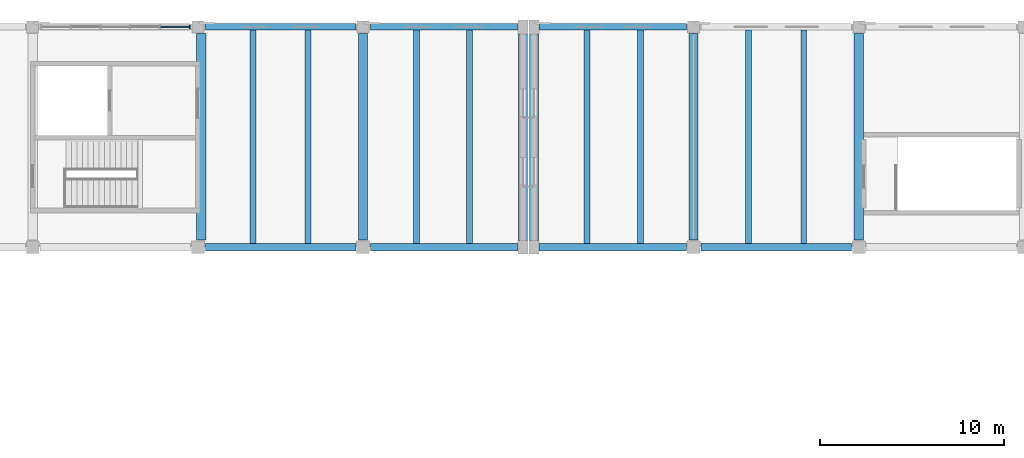
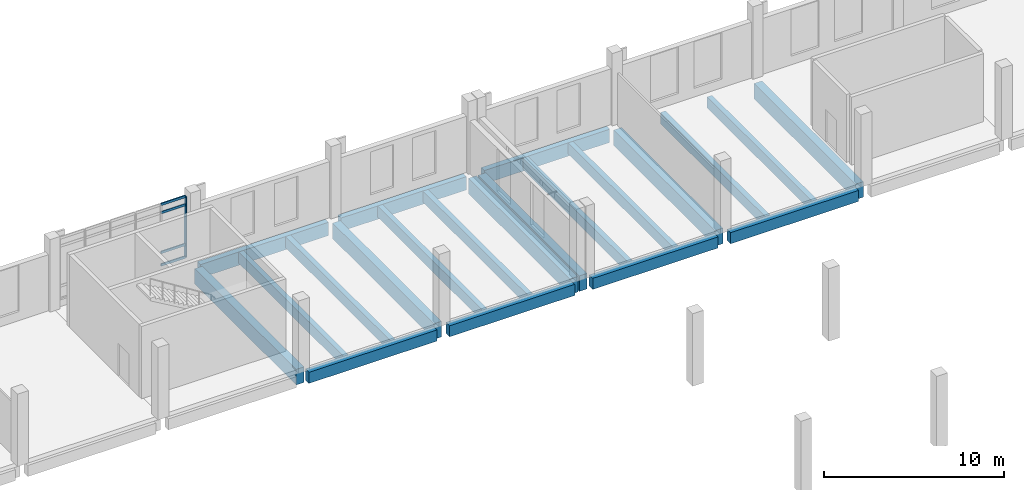
# One storey, part 52 of 110: 21 beams, 5 members, 1 element without a shape of its own.
"""IFC4 building model written with IfcOpenShell, lengths in metres."""

from ifc_helpers import new_model, si_unit, direction, frame, origin, origin_2d, place, context, subcontext, project, spatial, rectangle, extrude, material, layer, layer_set, material_profile, profile_set, type_object, element, aggregate, save


model = new_model("IFC4")

# Units and contexts
model_context = context("Model", 3, precision=1e-05, world=origin(), true_north=direction((0.0, 1.0)))
body_context = subcontext(model_context, "Body", "Model", "MODEL_VIEW")
ifc_project = project(units=[si_unit("LENGTHUNIT", "METRE"), si_unit("AREAUNIT", "SQUARE_METRE"), si_unit("VOLUMEUNIT", "CUBIC_METRE"), si_unit("PLANEANGLEUNIT", "RADIAN"), si_unit("MASSUNIT", "GRAM", prefix="KILO")], contexts=[model_context])

# Site, building, storey
site_placement = place(None, origin())
site = spatial("IfcSite", under=ifc_project, at=site_placement, CompositionType="ELEMENT")
building_placement = place(site_placement, origin())
building = spatial("IfcBuilding", under=site, at=building_placement, Name="Zacnel Wholesale Market", CompositionType="ELEMENT")
storey_placement = place(building_placement, frame((0.0, 0.0, 6.300048828125)))
storey = spatial("IfcBuildingStorey", under=building, at=storey_placement, Name="L02", CompositionType="ELEMENT", Elevation=6.300048828125)

# Beams
ifc_material_1 = material(Name="Precast concrete C45/55", Category="concrete")
ifc_material_profile_1 = material_profile(ifc_material_1, rectangle(XDim=0.320068359375, YDim=0.75, at=origin_2d()), Name="DT RIB 320x750")
ifc_profile_set_1 = profile_set([ifc_material_profile_1], Name="Precast concrete C45/55")
beam_type_1 = type_object("IfcBeamType", Name="BM-DT750", PredefinedType="JOIST", material=ifc_profile_set_1)
for number, where, z_axis, x_axis, name in (
    (1, (129.0, 132.199951171875, -0.655029296875), (0.0, 1.0, 0.0), (-1.0, 0.0, 0.0), "Precast secondary joist L02-0333"),
    (2, (132.0, 132.199951171875, -0.655029296875), (0.0, 1.0, 0.0), (-1.0, 0.0, 0.0), "Precast secondary joist L02-0334"),
    (3, (137.89990234375, 132.199951171875, -0.655029296875), (0.0, 1.0, 0.0), (-1.0, 0.0, 0.0), "Precast secondary joist L02-0335"),
    (4, (140.800048828125, 132.199951171875, -0.655029296875), (0.0, 1.0, 0.0), (-1.0, 0.0, 0.0), "Precast secondary joist L02-0336"),
    (5, (147.199951171875, 132.199951171875, -0.655029296875), (0.0, 1.0, 0.0), (-1.0, 0.0, 0.0), "Precast secondary joist L02-0337"),
    (6, (150.10009765625, 132.199951171875, -0.655029296875), (0.0, 1.0, 0.0), (-1.0, 0.0, 0.0), "Precast secondary joist L02-0338"),
    (7, (156.0, 132.199951171875, -0.655029296875), (0.0, 1.0, 0.0), (-1.0, 0.0, 0.0), "Precast secondary joist L02-0339"),
    (8, (159.0, 132.199951171875, -0.655029296875), (0.0, 1.0, 0.0), (-1.0, 0.0, 0.0), "Precast secondary joist L02-0340"),
):
    element("IfcBeam", number, at=place(storey_placement, frame(where, z_axis=z_axis, x_axis=x_axis)), inside=storey, type_object=beam_type_1, Name=name, PredefinedType="JOIST", context=body_context, shape_type="SweptSolid", body=[
        extrude(rectangle(XDim=0.320068359375, YDim=0.75, at=origin_2d()), origin(), (0.0, 0.0, 1.0), 11.625),
    ])
ifc_material_2 = material(Name="Precast concrete C45/55", Category="concrete")
ifc_material_profile_2 = material_profile(ifc_material_2, rectangle(XDim=0.5, YDim=1.050048828125, at=origin_2d()), Name="PG 500x1050")
ifc_profile_set_2 = profile_set([ifc_material_profile_2], Name="Precast concrete C45/55")
beam_type_2 = type_object("IfcBeamType", Name="BM-PG1050", PredefinedType="T_BEAM", material=ifc_profile_set_2)
for number, where, z_axis, x_axis, name in (
    (9, (126.179931640625, 132.39990234375, -0.804931640625), (0.0, 1.0, 0.0), (-1.0, 0.0, 0.0), "Precast girder Y-0458"),
    (10, (135.0, 132.39990234375, -0.804931640625), (0.0, 1.0, 0.0), (-1.0, 0.0, 0.0), "Precast girder Y-0465"),
    (11, (143.699951171875, 132.375, -0.804931640625), (0.0, 1.0, 0.0), (-1.0, 0.0, 0.0), "Precast girder Y-0468"),
    (12, (144.300048828125, 132.375, -0.804931640625), (0.0, 1.0, 0.0), (-1.0, 0.0, 0.0), "Precast girder Y-0480"),
    (13, (153.0, 132.39990234375, -0.804931640625), (0.0, 1.0, 0.0), (-1.0, 0.0, 0.0), "Precast girder Y-0487"),
    (14, (162.0, 132.39990234375, -0.804931640625), (0.0, 1.0, 0.0), (-1.0, 0.0, 0.0), "Precast girder Y-0494"),
):
    element("IfcBeam", number, at=place(storey_placement, frame(where, z_axis=z_axis, x_axis=x_axis)), inside=storey, type_object=beam_type_2, Name=name, PredefinedType="T_BEAM", context=body_context, shape_type="SweptSolid", body=[
        extrude(rectangle(XDim=0.5, YDim=1.050048828125, at=origin_2d()), origin(), (0.0, 0.0, 1.0), 11.25),
    ])
ifc_material_3 = material(Name="Precast concrete C45/55", Category="concrete")
ifc_material_profile_3 = material_profile(ifc_material_3, rectangle(XDim=0.39990234375, YDim=0.75, at=origin_2d()), Name="PG 400x750")
ifc_profile_set_3 = profile_set([ifc_material_profile_3], Name="Precast concrete C45/55")
beam_type_3 = type_object("IfcBeamType", Name="BM-PG750", PredefinedType="BEAM", material=ifc_profile_set_3)
beam_1_placement = place(storey_placement, frame((126.39990234375, 132.0, -0.655029296875), z_axis=(1.0, 0.0, 0.0), x_axis=(0.0, 1.0, 0.0)))
element("IfcBeam", 15, at=beam_1_placement, inside=storey, type_object=beam_type_3, Name="Precast girder X-0272", PredefinedType="BEAM", context=body_context, shape_type="SweptSolid", body=[
    extrude(rectangle(XDim=0.39990234375, YDim=0.75, at=origin_2d()), origin(), (0.0, 0.0, 1.0), 8.2001953125),
])
for number, where, z_axis, x_axis, name in (
    (16, (135.39990234375, 132.0, -0.655029296875), (1.0, 0.0, 0.0), (0.0, 1.0, 0.0), "Precast girder X-0273"),
    (17, (144.574951171875, 132.0, -0.655029296875), (1.0, 0.0, 0.0), (0.0, 1.0, 0.0), "Precast girder X-0274"),
):
    element("IfcBeam", number, at=place(storey_placement, frame(where, z_axis=z_axis, x_axis=x_axis)), inside=storey, type_object=beam_type_3, Name=name, PredefinedType="BEAM", context=body_context, shape_type="SweptSolid", body=[
        extrude(rectangle(XDim=0.39990234375, YDim=0.75, at=origin_2d()), origin(), (0.0, 0.0, 1.0), 8.025146484375),
    ])
beam_2_placement = place(storey_placement, frame((153.39990234375, 132.0, -0.655029296875), z_axis=(1.0, 0.0, 0.0), x_axis=(0.0, 1.0, 0.0)))
element("IfcBeam", 18, at=beam_2_placement, inside=storey, type_object=beam_type_3, Name="Precast girder X-0275", PredefinedType="BEAM", context=body_context, shape_type="SweptSolid", body=[
    extrude(rectangle(XDim=0.39990234375, YDim=0.75, at=origin_2d()), origin(), (0.0, 0.0, 1.0), 8.2001953125),
])
ifc_material_4 = material(Name="Precast concrete C45/55", Category="concrete")
ifc_material_profile_4 = material_profile(ifc_material_4, rectangle(XDim=0.35009765625, YDim=0.89990234375, at=origin_2d()), Name="SP 350x900")
ifc_profile_set_4 = profile_set([ifc_material_profile_4], Name="Precast concrete C45/55")
beam_type_4 = type_object("IfcBeamType", Name="BM-SP900", PredefinedType="SPANDREL", material=ifc_profile_set_4)
beam_3_placement = place(storey_placement, frame((126.39990234375, 144.0, -0.72998046875), z_axis=(1.0, 0.0, 0.0), x_axis=(0.0, 1.0, 0.0)))
element("IfcBeam", 19, at=beam_3_placement, inside=storey, type_object=beam_type_4, Name="Precast girder X-0293", PredefinedType="SPANDREL", context=body_context, shape_type="SweptSolid", body=[
    extrude(rectangle(XDim=0.35009765625, YDim=0.89990234375, at=origin_2d()), origin(), (0.0, 0.0, 1.0), 8.2001953125),
])
for number, where, z_axis, x_axis, name in (
    (20, (135.39990234375, 144.0, -0.72998046875), (1.0, 0.0, 0.0), (0.0, 1.0, 0.0), "Precast girder X-0294"),
    (21, (144.574951171875, 144.0, -0.72998046875), (1.0, 0.0, 0.0), (0.0, 1.0, 0.0), "Precast girder X-0295"),
):
    element("IfcBeam", number, at=place(storey_placement, frame(where, z_axis=z_axis, x_axis=x_axis)), inside=storey, type_object=beam_type_4, Name=name, PredefinedType="SPANDREL", context=body_context, shape_type="SweptSolid", body=[
        extrude(rectangle(XDim=0.35009765625, YDim=0.89990234375, at=origin_2d()), origin(), (0.0, 0.0, 1.0), 8.025146484375),
    ])

# Curtain wall, members
ifc_material_5 = material(Name="Anodised aluminium", Category="aluminium")
ifc_layer = layer(ifc_material_5, 0.159912109375)
ifc_layer_set = layer_set([ifc_layer], Name="Anodised aluminium")
curtain_wall_type = type_object("IfcCurtainWallType", Name="CW-COURT-4500", PredefinedType="NOTDEFINED", material=ifc_layer_set)
curtain_wall_placement = place(storey_placement, origin())
curtain_wall = element("IfcCurtainWall", 22, at=curtain_wall_placement, inside=storey, type_object=curtain_wall_type, Name="Curtain wall ENV-R2-CW-L02-036", PredefinedType="NOTDEFINED")
ifc_material_6 = material(Name="Anodised aluminium", Category="aluminium")
ifc_material_profile_5 = material_profile(ifc_material_6, rectangle(XDim=0.070068359375, YDim=0.199951171875, at=origin_2d()), Name="AW-MULLION 70x200")
ifc_profile_set_5 = profile_set([ifc_material_profile_5], Name="Anodised aluminium")
member_type_1 = type_object("IfcMemberType", Name="CWM-MUL-02", PredefinedType="MULLION", material=ifc_profile_set_5)
member_1_placement = place(storey_placement, frame((125.550048828125, 144.0, 0.449951171875), z_axis=(0.0, 0.0, 1.0), x_axis=(1.0, 0.0, 0.0)))
member_1 = element("IfcMember", 23, at=member_1_placement, type_object=member_type_1, Name="ENV-R2-CW-L02-036 mullion 06", PredefinedType="MULLION", context=body_context, shape_type="SweptSolid", body=[
    extrude(rectangle(XDim=0.070068359375, YDim=0.199951171875, at=origin_2d()), origin(), (0.0, 0.0, 1.0), 4.10009765625),
])
ifc_material_7 = material(Name="Anodised aluminium", Category="aluminium")
ifc_material_profile_6 = material_profile(ifc_material_7, rectangle(XDim=0.070068359375, YDim=0.159912109375, at=origin_2d()), Name="AW-TRANSOM 70x160")
ifc_profile_set_6 = profile_set([ifc_material_profile_6], Name="Anodised aluminium")
member_type_2 = type_object("IfcMemberType", Name="CWM-TRN-02", PredefinedType="USERDEFINED", material=ifc_profile_set_6)
member_2_placement = place(storey_placement, frame((123.965087890625, 144.0, 0.449951171875), z_axis=(1.0, 0.0, 0.0), x_axis=(0.0, 1.0, 0.0)))
member_2 = element("IfcMember", 24, at=member_2_placement, type_object=member_type_2, Name="ENV-R2-CW-L02-036 transom 5-1", ObjectType="TRANSOM", PredefinedType="USERDEFINED", context=body_context, shape_type="SweptSolid", body=[
    extrude(rectangle(XDim=0.070068359375, YDim=0.159912109375, at=origin_2d()), origin(), (0.0, 0.0, 1.0), 1.5498046875),
])
member_3_placement = place(storey_placement, frame((123.965087890625, 144.0, 1.300048828125), z_axis=(1.0, 0.0, 0.0), x_axis=(0.0, 1.0, 0.0)))
member_3 = element("IfcMember", 25, at=member_3_placement, type_object=member_type_2, Name="ENV-R2-CW-L02-036 transom 5-2", ObjectType="TRANSOM", PredefinedType="USERDEFINED", context=body_context, shape_type="SweptSolid", body=[
    extrude(rectangle(XDim=0.070068359375, YDim=0.159912109375, at=origin_2d()), origin(), (0.0, 0.0, 1.0), 1.5498046875),
])
member_4_placement = place(storey_placement, frame((123.965087890625, 144.0, 4.0), z_axis=(1.0, 0.0, 0.0), x_axis=(0.0, 1.0, 0.0)))
member_4 = element("IfcMember", 26, at=member_4_placement, type_object=member_type_2, Name="ENV-R2-CW-L02-036 transom 5-3", ObjectType="TRANSOM", PredefinedType="USERDEFINED", context=body_context, shape_type="SweptSolid", body=[
    extrude(rectangle(XDim=0.070068359375, YDim=0.159912109375, at=origin_2d()), origin(), (0.0, 0.0, 1.0), 1.5498046875),
])
member_5_placement = place(storey_placement, frame((123.965087890625, 144.0, 4.550048828125), z_axis=(1.0, 0.0, 0.0), x_axis=(0.0, 1.0, 0.0)))
member_5 = element("IfcMember", 27, at=member_5_placement, type_object=member_type_2, Name="ENV-R2-CW-L02-036 transom 5-4", ObjectType="TRANSOM", PredefinedType="USERDEFINED", context=body_context, shape_type="SweptSolid", body=[
    extrude(rectangle(XDim=0.070068359375, YDim=0.159912109375, at=origin_2d()), origin(), (0.0, 0.0, 1.0), 1.5498046875),
])
aggregate(curtain_wall, [member_1, member_2, member_3, member_4, member_5])

save(model, "model.ifc")
